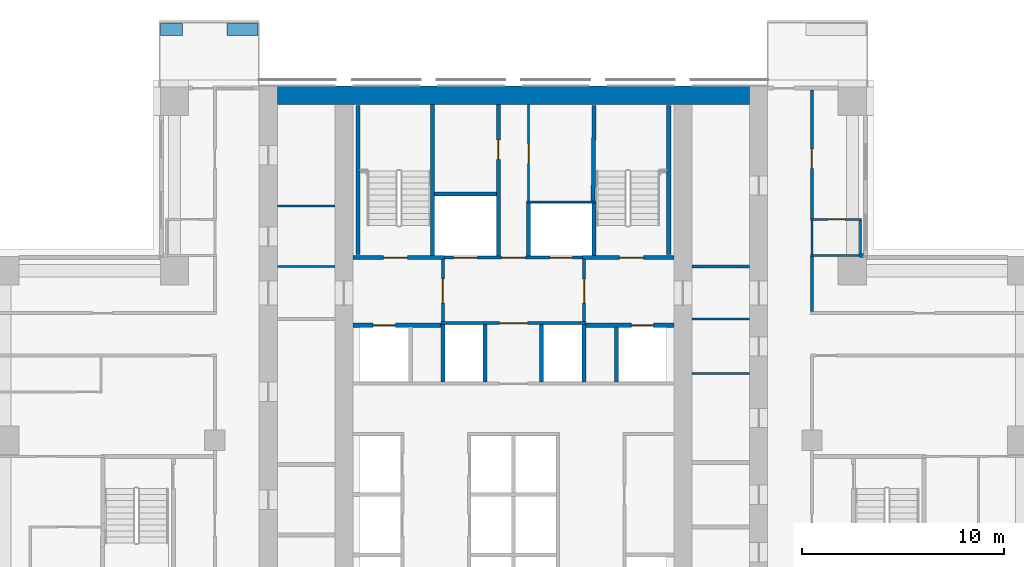
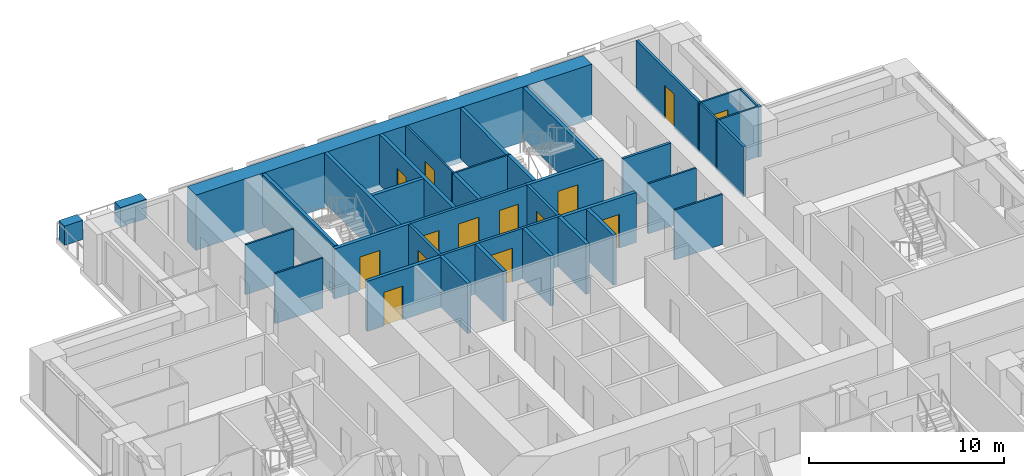
# One storey, part 13 of 17: 38 walls, 14 doors, 14 openings.
"""IFC4 building model written with IfcOpenShell, lengths in metres."""

from ifc_helpers import new_model, si_unit, direction, frame, frame_2d, origin, place, context, subcontext, project, spatial, rectangle, extrude, material, layer, layer_set, type_object, element, fill, save


model = new_model("IFC4")

# Units and contexts
model_context = context("Model", 3, precision=1e-05, world=origin(), true_north=direction((0.0, 1.0)))
body_context = subcontext(model_context, "Body", "Model", "MODEL_VIEW")
ifc_project = project(units=[si_unit("LENGTHUNIT", "METRE"), si_unit("AREAUNIT", "SQUARE_METRE"), si_unit("VOLUMEUNIT", "CUBIC_METRE"), si_unit("PLANEANGLEUNIT", "RADIAN"), si_unit("MASSUNIT", "GRAM", prefix="KILO")], contexts=[model_context])

# Site, building, storey
site_placement = place(None, origin())
site = spatial("IfcSite", under=ifc_project, at=site_placement, CompositionType="ELEMENT")
building_placement = place(site_placement, origin())
building = spatial("IfcBuilding", under=site, at=building_placement, Name="Vermilion Ogive Tower", CompositionType="ELEMENT")
storey_placement = place(building_placement, frame((0.0, 0.0, 51.75)))
storey = spatial("IfcBuildingStorey", under=building, at=storey_placement, Name="L11", CompositionType="ELEMENT", Elevation=51.75)

# Wall
ifc_material_1 = material(Name="Gypsum board partition on steel studs", Category="steel")
ifc_layer_1 = layer(ifc_material_1, 0.10009765625)
ifc_layer_set_1 = layer_set([ifc_layer_1], Name="Partition 100 bath")
wall_type_1 = type_object("IfcWallType", Name="Partition 100 bath", PredefinedType="PARTITIONING", material=ifc_layer_set_1)
wall_1_placement = place(storey_placement, frame((14.72509765625, 13.35009765625, 0.0), z_axis=(0.0, 0.0, 1.0), x_axis=(1.0, 0.0, 0.0)))
element("IfcWall", 1, at=wall_1_placement, inside=storey, type_object=wall_type_1, Name="L11-W-W037", PredefinedType="PARTITIONING", context=body_context, shape_type="SweptSolid", body=[
    extrude(rectangle(XDim=2.52490234375, YDim=0.10009765625, at=frame_2d((1.262451171875, 0.0))), origin(), (0.0, 0.0, 1.0), 3.1298828125),
])

# Wall, opening, door
wall_2_placement = place(storey_placement, frame((14.72509765625, 15.14990234375, 0.0), z_axis=(0.0, 0.0, 1.0), x_axis=(1.0, 0.0, 0.0)))
wall_2 = element("IfcWall", 2, at=wall_2_placement, inside=storey, type_object=wall_type_1, Name="L11-W-W040", PredefinedType="PARTITIONING", context=body_context, shape_type="SweptSolid", body=[
    extrude(rectangle(XDim=2.52490234375, YDim=0.10009765625, at=frame_2d((1.262451171875, 0.0))), origin(), (0.0, 0.0, 1.0), 3.1298828125),
])
opening_1_placement = place(wall_2_placement, frame((0.849853515625, 0.0, 0.0)))
opening_1 = element("IfcOpeningElement", 3, at=opening_1_placement, cuts=wall_2, Name="Opening D1G3022", PredefinedType="OPENING", context=body_context, shape_type="SweptSolid", body=[
    extrude(rectangle(XDim=0.85009765625, YDim=2.10009765625, at=frame_2d((0.425048828125, 1.050048828125))), frame((0.0, 0.06005859375, 0.0), z_axis=(0.0, -1.0, 0.0), x_axis=(1.0, 0.0, 0.0)), (0.0, 0.0, 1.0), 0.1201171875),
])
ifc_material_2 = material(Name="Timber door leaf", Category="wood")
door_type_1 = type_object("IfcDoorType", Name="Bath door 850 x 2100 FD30", OperationType="SINGLE_SWING_LEFT", PredefinedType="DOOR", material=ifc_material_2)
door_1_placement = place(opening_1_placement, origin())
door_1 = element("IfcDoor", 4, at=door_1_placement, inside=storey, type_object=door_type_1, Name="L11-D-D022", OperationType="SINGLE_SWING_RIGHT", OverallHeight=2.10009765625, OverallWidth=0.85009765625, PredefinedType="DOOR", context=body_context, shape_type="SweptSolid", body=[
    extrude(rectangle(XDim=0.85009765625, YDim=2.10009765625, at=frame_2d((0.425048828125, 1.050048828125))), frame((0.0, 0.02490234375, 0.0), z_axis=(0.0, -1.0, 0.0), x_axis=(1.0, 0.0, 0.0)), (0.0, 0.0, 1.0), 0.050048828125),
])
fill(opening_1, door_1)

# Walls
wall_3_placement = place(storey_placement, frame((14.800048828125, 13.39990234375, 0.0), z_axis=(0.0, 0.0, 1.0), x_axis=(0.0, 1.0, 0.0)))
element("IfcWall", 5, at=wall_3_placement, inside=storey, type_object=wall_type_1, Name="L11-W-W074", PredefinedType="PARTITIONING", context=body_context, shape_type="SweptSolid", body=[
    extrude(rectangle(XDim=1.7001953125, YDim=0.10009765625, at=frame_2d((0.85009765625, 0.0))), origin(), (0.0, 0.0, 1.0), 3.1298828125),
])
wall_4_placement = place(storey_placement, frame((17.199951171875, 13.449951171875, 0.0), z_axis=(0.0, 0.0, 1.0), x_axis=(0.0, 1.0, 0.0)))
element("IfcWall", 6, at=wall_4_placement, inside=storey, type_object=wall_type_1, Name="L11-W-W078", PredefinedType="PARTITIONING", context=body_context, shape_type="SweptSolid", body=[
    extrude(rectangle(XDim=1.650146484375, YDim=0.10009765625, at=frame_2d((0.8251953125, 0.0))), origin(), (0.0, 0.0, 1.0), 3.1298828125),
])
wall_5_placement = place(storey_placement, frame((0.64990234375, 16.0, 0.0), z_axis=(0.0, 0.0, 1.0), x_axis=(1.0, 0.0, 0.0)))
element("IfcWall", 7, at=wall_5_placement, inside=storey, type_object=wall_type_1, Name="L11-CK-W-W019", PredefinedType="PARTITIONING", context=body_context, shape_type="SweptSolid", body=[
    extrude(rectangle(XDim=3.4501953125, YDim=0.10009765625, at=frame_2d((1.72509765625, 0.0))), origin(), (0.0, 0.0, 1.0), 3.1298828125),
])

# Wall, opening, door
wall_6_placement = place(storey_placement, frame((0.75, 16.050048828125, 0.0), z_axis=(0.0, 0.0, 1.0), x_axis=(0.0, 1.0, 0.0)))
wall_6 = element("IfcWall", 8, at=wall_6_placement, inside=storey, type_object=wall_type_1, Name="L11-CK-W-W031", PredefinedType="PARTITIONING", context=body_context, shape_type="SweptSolid", body=[
    extrude(rectangle(XDim=4.799072265625, YDim=0.10009765625, at=frame_2d((2.3994140625, 0.0))), origin(), (0.0, 0.0, 1.0), 3.1298828125),
])
opening_2_placement = place(wall_6_placement, frame((1.875, 0.0, 0.0)))
opening_2 = element("IfcOpeningElement", 9, at=opening_2_placement, cuts=wall_6, Name="Opening DAA053", PredefinedType="OPENING", context=body_context, shape_type="SweptSolid", body=[
    extrude(rectangle(XDim=0.949951171875, YDim=2.10009765625, at=frame_2d((0.47509765625, 1.050048828125))), frame((0.0, 0.06005859375, 0.0), z_axis=(0.0, -1.0, 0.0), x_axis=(1.0, 0.0, 0.0)), (0.0, 0.0, 1.0), 0.1201171875),
])
ifc_material_3 = material(Name="Timber door leaf", Category="wood")
door_type_2 = type_object("IfcDoorType", Name="Service door 950 x 2100 FD60", OperationType="SINGLE_SWING_LEFT", PredefinedType="DOOR", material=ifc_material_3)
door_2_placement = place(opening_2_placement, origin())
door_2 = element("IfcDoor", 10, at=door_2_placement, inside=storey, type_object=door_type_2, Name="L11-CK-D-D020", OperationType="SINGLE_SWING_LEFT", OverallHeight=2.10009765625, OverallWidth=0.949951171875, PredefinedType="DOOR", context=body_context, shape_type="SweptSolid", body=[
    extrude(rectangle(XDim=0.949951171875, YDim=2.10009765625, at=frame_2d((0.47509765625, 1.050048828125))), frame((0.0, 0.02490234375, 0.0), z_axis=(0.0, -1.0, 0.0), x_axis=(1.0, 0.0, 0.0)), (0.0, 0.0, 1.0), 0.050048828125),
])
fill(opening_2, door_2)

# Walls
for number, where, z_axis, x_axis, name in (
    (11, (-11.698974609375, 12.800048828125, 0.0), (0.0, 0.0, 1.0), (1.0, 0.0, 0.0), "L11-CKW-W-W004"),
    (12, (-11.698974609375, 15.800048828125, 0.0), (0.0, 0.0, 1.0), (1.0, 0.0, 0.0), "L11-CKW-W-W005"),
    (13, (8.85107421875, 7.5, 0.0), (0.0, 0.0, 1.0), (1.0, 0.0, 0.0), "L11-CKE-W-W004"),
    (14, (8.85107421875, 10.199951171875, 0.0), (0.0, 0.0, 1.0), (1.0, 0.0, 0.0), "L11-CKE-W-W005"),
):
    element("IfcWall", number, at=place(storey_placement, frame(where, z_axis=z_axis, x_axis=x_axis)), inside=storey, type_object=wall_type_1, Name=name, PredefinedType="PARTITIONING", context=body_context, shape_type="SweptSolid", body=[
        extrude(rectangle(XDim=2.847900390625, YDim=0.10009765625, at=frame_2d((1.423828125, 0.0))), origin(), (0.0, 0.0, 1.0), 3.1298828125),
    ])
ifc_material_4 = material(Name="Gypsum board partition on steel studs", Category="steel")
ifc_layer_2 = layer(ifc_material_4, 0.14990234375)
ifc_layer_set_2 = layer_set([ifc_layer_2], Name="Partition 150 corridor")
wall_type_2 = type_object("IfcWallType", Name="Partition 150 corridor", PredefinedType="PARTITIONING", material=ifc_layer_set_2)
wall_7_placement = place(storey_placement, frame((14.800048828125, 10.574951171875, 0.0), z_axis=(0.0, 0.0, 1.0), x_axis=(0.0, 1.0, 0.0)))
element("IfcWall", 15, at=wall_7_placement, inside=storey, type_object=wall_type_2, Name="L11-W-W073", PredefinedType="PARTITIONING", context=body_context, shape_type="SweptSolid", body=[
    extrude(rectangle(XDim=2.72509765625, YDim=0.14990234375, at=frame_2d((1.362548828125, 0.0))), origin(), (0.0, 0.0, 1.0), 3.1298828125),
])

# Wall, opening, door
wall_8_placement = place(storey_placement, frame((14.800048828125, 15.199951171875, 0.0), z_axis=(0.0, 0.0, 1.0), x_axis=(0.0, 1.0, 0.0)))
wall_8 = element("IfcWall", 16, at=wall_8_placement, inside=storey, type_object=wall_type_2, Name="L11-W-W075", PredefinedType="PARTITIONING", context=body_context, shape_type="SweptSolid", body=[
    extrude(rectangle(XDim=6.35009765625, YDim=0.14990234375, at=frame_2d((3.175048828125, 0.0))), origin(), (0.0, 0.0, 1.0), 3.1298828125),
])
opening_3_placement = place(wall_8_placement, frame((2.47509765625, 0.0, 0.0)))
opening_3 = element("IfcOpeningElement", 17, at=opening_3_placement, cuts=wall_8, Name="Opening D1G3021", PredefinedType="OPENING", context=body_context, shape_type="SweptSolid", body=[
    extrude(rectangle(XDim=0.949951171875, YDim=2.10009765625, at=frame_2d((0.47509765625, 1.050048828125))), frame((0.0, 0.0849609375, 0.0), z_axis=(0.0, -1.0, 0.0), x_axis=(1.0, 0.0, 0.0)), (0.0, 0.0, 1.0), 0.169921875),
])
ifc_material_5 = material(Name="Timber door leaf", Category="wood")
door_type_3 = type_object("IfcDoorType", Name="Unit door 950 x 2100 FD30S", OperationType="SINGLE_SWING_LEFT", PredefinedType="DOOR", material=ifc_material_5)
door_3_placement = place(opening_3_placement, origin())
door_3 = element("IfcDoor", 18, at=door_3_placement, inside=storey, type_object=door_type_3, Name="L11-D-D021", OperationType="SINGLE_SWING_LEFT", OverallHeight=2.10009765625, OverallWidth=0.949951171875, PredefinedType="DOOR", context=body_context, shape_type="SweptSolid", body=[
    extrude(rectangle(XDim=0.949951171875, YDim=2.10009765625, at=frame_2d((0.47509765625, 1.050048828125))), frame((0.0, 0.02490234375, 0.0), z_axis=(0.0, -1.0, 0.0), x_axis=(1.0, 0.0, 0.0)), (0.0, 0.0, 1.0), 0.050048828125),
])
fill(opening_3, door_3)

wall_9_placement = place(storey_placement, frame((-3.60009765625, 10.0, 0.0), z_axis=(0.0, 0.0, 1.0), x_axis=(1.0, 0.0, 0.0)))
wall_9 = element("IfcWall", 19, at=wall_9_placement, inside=storey, type_object=wall_type_2, Name="L11-CK-W-W015", PredefinedType="PARTITIONING", context=body_context, shape_type="SweptSolid", body=[
    extrude(rectangle(XDim=7.2001953125, YDim=0.14990234375, at=frame_2d((3.60009765625, 0.0))), origin(), (0.0, 0.0, 1.0), 3.1298828125),
])
opening_4_placement = place(wall_9_placement, frame((2.900146484375, 0.0, 0.0)))
opening_4 = element("IfcOpeningElement", 20, at=opening_4_placement, cuts=wall_9, Name="Opening DAA049", PredefinedType="OPENING", context=body_context, shape_type="SweptSolid", body=[
    extrude(rectangle(XDim=1.39990234375, YDim=2.10009765625, at=frame_2d((0.699951171875, 1.050048828125))), frame((0.0, 0.0849609375, 0.0), z_axis=(0.0, -1.0, 0.0), x_axis=(1.0, 0.0, 0.0)), (0.0, 0.0, 1.0), 0.169921875),
])
ifc_material_6 = material(Name="Timber door leaf", Category="wood")
door_type_4 = type_object("IfcDoorType", Name="Lobby door 1400 x 2100 FD60S", OperationType="SINGLE_SWING_LEFT", PredefinedType="DOOR", material=ifc_material_6)
door_4_placement = place(opening_4_placement, origin())
door_4 = element("IfcDoor", 21, at=door_4_placement, inside=storey, type_object=door_type_4, Name="L11-CK-D-D015", OperationType="SINGLE_SWING_RIGHT", OverallHeight=2.10009765625, OverallWidth=1.39990234375, PredefinedType="DOOR", context=body_context, shape_type="SweptSolid", body=[
    extrude(rectangle(XDim=1.39990234375, YDim=2.10009765625, at=frame_2d((0.699951171875, 1.050048828125))), frame((0.0, 0.02490234375, 0.0), z_axis=(0.0, -1.0, 0.0), x_axis=(1.0, 0.0, 0.0)), (0.0, 0.0, 1.0), 0.050048828125),
])
fill(opening_4, door_4)

# Wall, openings, doors
wall_10_placement = place(storey_placement, frame((-3.574951171875, 13.25, 0.0), z_axis=(0.0, 0.0, 1.0), x_axis=(1.0, 0.0, 0.0)))
wall_10 = element("IfcWall", 22, at=wall_10_placement, inside=storey, type_object=wall_type_2, Name="L11-CK-W-W017", PredefinedType="PARTITIONING", context=body_context, shape_type="SweptSolid", body=[
    extrude(rectangle(XDim=7.14990234375, YDim=0.14990234375, at=frame_2d((3.574951171875, 0.0))), origin(), (0.0, 0.0, 1.0), 3.1298828125),
])
opening_5_placement = place(wall_10_placement, frame((0.599853515625, 0.0, 0.0)))
opening_5 = element("IfcOpeningElement", 23, at=opening_5_placement, cuts=wall_10, Name="Opening DAA067", PredefinedType="OPENING", context=body_context, shape_type="SweptSolid", body=[
    extrude(rectangle(XDim=1.199951171875, YDim=2.10009765625, at=frame_2d((0.60009765625, 1.050048828125))), frame((0.0, 0.0849609375, 0.0), z_axis=(0.0, -1.0, 0.0), x_axis=(1.0, 0.0, 0.0)), (0.0, 0.0, 1.0), 0.169921875),
])
opening_6_placement = place(wall_10_placement, frame((5.39990234375, 0.0, 0.0)))
opening_6 = element("IfcOpeningElement", 24, at=opening_6_placement, cuts=wall_10, Name="Opening DAA058", PredefinedType="OPENING", context=body_context, shape_type="SweptSolid", body=[
    extrude(rectangle(XDim=1.10009765625, YDim=2.10009765625, at=frame_2d((0.550048828125, 1.050048828125))), frame((0.0, 0.0849609375, 0.0), z_axis=(0.0, -1.0, 0.0), x_axis=(1.0, 0.0, 0.0)), (0.0, 0.0, 1.0), 0.169921875),
])
opening_7_placement = place(wall_10_placement, frame((2.974853515625, 0.0, 0.0)))
opening_7 = element("IfcOpeningElement", 25, at=opening_7_placement, cuts=wall_10, Name="Opening DAA050", PredefinedType="OPENING", context=body_context, shape_type="SweptSolid", body=[
    extrude(rectangle(XDim=1.199951171875, YDim=2.10009765625, at=frame_2d((0.60009765625, 1.050048828125))), frame((0.0, 0.0849609375, 0.0), z_axis=(0.0, -1.0, 0.0), x_axis=(1.0, 0.0, 0.0)), (0.0, 0.0, 1.0), 0.169921875),
])
ifc_material_7 = material(Name="Stainless steel", Category="steel")
door_type_5 = type_object("IfcDoorType", Name="Lift landing door 1100 x 2100", OperationType="SLIDING_TO_LEFT", PredefinedType="DOOR", material=ifc_material_7)
door_5_placement = place(opening_6_placement, origin())
door_5 = element("IfcDoor", 26, at=door_5_placement, inside=storey, type_object=door_type_5, Name="L11-CK-D-D017", OperationType="SLIDING_TO_LEFT", OverallHeight=2.10009765625, OverallWidth=1.10009765625, PredefinedType="DOOR", context=body_context, shape_type="SweptSolid", body=[
    extrude(rectangle(XDim=1.10009765625, YDim=2.10009765625, at=frame_2d((0.550048828125, 1.050048828125))), frame((0.0, 0.02490234375, 0.0), z_axis=(0.0, -1.0, 0.0), x_axis=(1.0, 0.0, 0.0)), (0.0, 0.0, 1.0), 0.050048828125),
])
fill(opening_6, door_5)
ifc_material_8 = material(Name="Stainless steel", Category="steel")
door_type_6 = type_object("IfcDoorType", Name="Lift landing door 1200 x 2100", OperationType="SLIDING_TO_LEFT", PredefinedType="DOOR", material=ifc_material_8)
door_6_placement = place(opening_5_placement, origin())
door_6 = element("IfcDoor", 27, at=door_6_placement, inside=storey, type_object=door_type_6, Name="L11-CK-D-D016", OperationType="SLIDING_TO_RIGHT", OverallHeight=2.10009765625, OverallWidth=1.199951171875, PredefinedType="DOOR", context=body_context, shape_type="SweptSolid", body=[
    extrude(rectangle(XDim=1.199951171875, YDim=2.10009765625, at=frame_2d((0.60009765625, 1.050048828125))), frame((0.0, 0.02490234375, 0.0), z_axis=(0.0, -1.0, 0.0), x_axis=(1.0, 0.0, 0.0)), (0.0, 0.0, 1.0), 0.050048828125),
])
fill(opening_5, door_6)
ifc_material_9 = material(Name="Timber door leaf", Category="wood")
door_type_7 = type_object("IfcDoorType", Name="Service door 1200 x 2100 FD60", OperationType="SINGLE_SWING_LEFT", PredefinedType="DOOR", material=ifc_material_9)
door_7_placement = place(opening_7_placement, origin())
door_7 = element("IfcDoor", 28, at=door_7_placement, inside=storey, type_object=door_type_7, Name="L11-CK-D-D018", OperationType="SINGLE_SWING_RIGHT", OverallHeight=2.10009765625, OverallWidth=1.199951171875, PredefinedType="DOOR", context=body_context, shape_type="SweptSolid", body=[
    extrude(rectangle(XDim=1.199951171875, YDim=2.10009765625, at=frame_2d((0.60009765625, 1.050048828125))), frame((0.0, 0.02490234375, 0.0), z_axis=(0.0, -1.0, 0.0), x_axis=(1.0, 0.0, 0.0)), (0.0, 0.0, 1.0), 0.050048828125),
])
fill(opening_7, door_7)

# Wall, opening, door
wall_11_placement = place(storey_placement, frame((-3.5, 10.074951171875, 0.0), z_axis=(0.0, 0.0, 1.0), x_axis=(0.0, 1.0, 0.0)))
wall_11 = element("IfcWall", 29, at=wall_11_placement, inside=storey, type_object=wall_type_2, Name="L11-CK-W-W025", PredefinedType="PARTITIONING", context=body_context, shape_type="SweptSolid", body=[
    extrude(rectangle(XDim=3.074951171875, YDim=0.14990234375, at=frame_2d((1.53759765625, 0.0))), origin(), (0.0, 0.0, 1.0), 3.1298828125),
])
opening_8_placement = place(wall_11_placement, frame((0.925048828125, 0.0, 0.0)))
opening_8 = element("IfcOpeningElement", 30, at=opening_8_placement, cuts=wall_11, Name="Opening DAA046", PredefinedType="OPENING", context=body_context, shape_type="SweptSolid", body=[
    extrude(rectangle(XDim=1.199951171875, YDim=2.10009765625, at=frame_2d((0.60009765625, 1.050048828125))), frame((0.0, 0.0849609375, 0.0), z_axis=(0.0, -1.0, 0.0), x_axis=(1.0, 0.0, 0.0)), (0.0, 0.0, 1.0), 0.169921875),
])
ifc_material_10 = material(Name="Timber door leaf", Category="wood")
door_type_8 = type_object("IfcDoorType", Name="Lobby door 1200 x 2100 FD60S", OperationType="SINGLE_SWING_LEFT", PredefinedType="DOOR", material=ifc_material_10)
door_8_placement = place(opening_8_placement, origin())
door_8 = element("IfcDoor", 31, at=door_8_placement, inside=storey, type_object=door_type_8, Name="L11-CK-D-D021", OperationType="SINGLE_SWING_RIGHT", OverallHeight=2.10009765625, OverallWidth=1.199951171875, PredefinedType="DOOR", context=body_context, shape_type="SweptSolid", body=[
    extrude(rectangle(XDim=1.199951171875, YDim=2.10009765625, at=frame_2d((0.60009765625, 1.050048828125))), frame((0.0, 0.02490234375, 0.0), z_axis=(0.0, -1.0, 0.0), x_axis=(1.0, 0.0, 0.0)), (0.0, 0.0, 1.0), 0.050048828125),
])
fill(opening_8, door_8)

wall_12_placement = place(storey_placement, frame((3.5, 10.074951171875, 0.0), z_axis=(0.0, 0.0, 1.0), x_axis=(0.0, 1.0, 0.0)))
wall_12 = element("IfcWall", 32, at=wall_12_placement, inside=storey, type_object=wall_type_2, Name="L11-CK-W-W035", PredefinedType="PARTITIONING", context=body_context, shape_type="SweptSolid", body=[
    extrude(rectangle(XDim=3.074951171875, YDim=0.14990234375, at=frame_2d((1.53759765625, 0.0))), origin(), (0.0, 0.0, 1.0), 3.1298828125),
])
opening_9_placement = place(wall_12_placement, frame((0.925048828125, 0.0, 0.0)))
opening_9 = element("IfcOpeningElement", 33, at=opening_9_placement, cuts=wall_12, Name="Opening DAA047", PredefinedType="OPENING", context=body_context, shape_type="SweptSolid", body=[
    extrude(rectangle(XDim=1.199951171875, YDim=2.10009765625, at=frame_2d((0.60009765625, 1.050048828125))), frame((0.0, 0.0849609375, 0.0), z_axis=(0.0, -1.0, 0.0), x_axis=(1.0, 0.0, 0.0)), (0.0, 0.0, 1.0), 0.169921875),
])
door_9_placement = place(opening_9_placement, origin())
door_9 = element("IfcDoor", 34, at=door_9_placement, inside=storey, type_object=door_type_8, Name="L11-CK-D-D022", OperationType="SINGLE_SWING_LEFT", OverallHeight=2.10009765625, OverallWidth=1.199951171875, PredefinedType="DOOR", context=body_context, shape_type="SweptSolid", body=[
    extrude(rectangle(XDim=1.199951171875, YDim=2.10009765625, at=frame_2d((0.60009765625, 1.050048828125))), frame((0.0, 0.02490234375, 0.0), z_axis=(0.0, -1.0, 0.0), x_axis=(1.0, 0.0, 0.0)), (0.0, 0.0, 1.0), 0.050048828125),
])
fill(opening_9, door_9)

# Walls
wall_13_placement = place(storey_placement, frame((8.85107421875, 12.800048828125, 0.0), z_axis=(0.0, 0.0, 1.0), x_axis=(1.0, 0.0, 0.0)))
element("IfcWall", 35, at=wall_13_placement, inside=storey, type_object=wall_type_2, Name="L11-CKE-W-W006", PredefinedType="PARTITIONING", context=body_context, shape_type="SweptSolid", body=[
    extrude(rectangle(XDim=2.847900390625, YDim=0.14990234375, at=frame_2d((1.423828125, 0.0))), origin(), (0.0, 0.0, 1.0), 3.1298828125),
])
ifc_material_11 = material(Name="Gypsum board partition on steel studs", Category="steel")
ifc_layer_3 = layer(ifc_material_11, 0.199951171875)
ifc_layer_set_3 = layer_set([ifc_layer_3], Name="Partition 200 party")
wall_type_3 = type_object("IfcWallType", Name="Partition 200 party", PredefinedType="PARTITIONING", material=ifc_layer_set_3)
wall_14_placement = place(storey_placement, frame((17.14990234375, 13.35009765625, 0.0), z_axis=(0.0, 0.0, 1.0), x_axis=(1.0, 0.0, 0.0)))
element("IfcWall", 36, at=wall_14_placement, inside=storey, type_object=wall_type_3, Name="L11-W-W038", PredefinedType="PARTITIONING", context=body_context, shape_type="SweptSolid", body=[
    extrude(rectangle(XDim=0.2001953125, YDim=0.199951171875, at=frame_2d((0.10009765625, 0.0))), origin(), (0.0, 0.0, 1.0), 3.1298828125),
])

# Wall, opening, door
wall_15_placement = place(storey_placement, frame((-7.948974609375, 9.89990234375, 0.0), z_axis=(0.0, 0.0, 1.0), x_axis=(1.0, 0.0, 0.0)))
wall_15 = element("IfcWall", 37, at=wall_15_placement, inside=storey, type_object=wall_type_3, Name="L11-CK-W-W013", PredefinedType="PARTITIONING", context=body_context, shape_type="SweptSolid", body=[
    extrude(rectangle(XDim=4.348876953125, YDim=0.199951171875, at=frame_2d((2.17431640625, 0.0))), origin(), (0.0, 0.0, 1.0), 3.1298828125),
])
opening_10_placement = place(wall_15_placement, frame((0.9990234375, 0.0, 0.0)))
opening_10 = element("IfcOpeningElement", 38, at=opening_10_placement, cuts=wall_15, Name="Opening DAA066", PredefinedType="OPENING", context=body_context, shape_type="SweptSolid", body=[
    extrude(rectangle(XDim=1.10009765625, YDim=2.10009765625, at=frame_2d((0.550048828125, 1.050048828125))), frame((0.0, 0.10986328125, 0.0), z_axis=(0.0, -1.0, 0.0), x_axis=(1.0, 0.0, 0.0)), (0.0, 0.0, 1.0), 0.219970703125),
])
door_10_placement = place(opening_10_placement, origin())
door_10 = element("IfcDoor", 39, at=door_10_placement, inside=storey, type_object=door_type_5, Name="L11-CK-D-D011", OperationType="SLIDING_TO_RIGHT", OverallHeight=2.10009765625, OverallWidth=1.10009765625, PredefinedType="DOOR", context=body_context, shape_type="SweptSolid", body=[
    extrude(rectangle(XDim=1.10009765625, YDim=2.10009765625, at=frame_2d((0.550048828125, 1.050048828125))), frame((0.0, 0.02490234375, 0.0), z_axis=(0.0, -1.0, 0.0), x_axis=(1.0, 0.0, 0.0)), (0.0, 0.0, 1.0), 0.050048828125),
])
fill(opening_10, door_10)

wall_16_placement = place(storey_placement, frame((3.60009765625, 9.89990234375, 0.0), z_axis=(0.0, 0.0, 1.0), x_axis=(1.0, 0.0, 0.0)))
wall_16 = element("IfcWall", 40, at=wall_16_placement, inside=storey, type_object=wall_type_3, Name="L11-CK-W-W014", PredefinedType="PARTITIONING", context=body_context, shape_type="SweptSolid", body=[
    extrude(rectangle(XDim=4.348876953125, YDim=0.199951171875, at=frame_2d((2.17431640625, 0.0))), origin(), (0.0, 0.0, 1.0), 3.1298828125),
])
opening_11_placement = place(wall_16_placement, frame((2.25, 0.0, 0.0)))
opening_11 = element("IfcOpeningElement", 41, at=opening_11_placement, cuts=wall_16, Name="Opening DAA057", PredefinedType="OPENING", context=body_context, shape_type="SweptSolid", body=[
    extrude(rectangle(XDim=1.10009765625, YDim=2.10009765625, at=frame_2d((0.550048828125, 1.050048828125))), frame((0.0, 0.10986328125, 0.0), z_axis=(0.0, -1.0, 0.0), x_axis=(1.0, 0.0, 0.0)), (0.0, 0.0, 1.0), 0.219970703125),
])
door_11_placement = place(opening_11_placement, origin())
door_11 = element("IfcDoor", 42, at=door_11_placement, inside=storey, type_object=door_type_5, Name="L11-CK-D-D013", OperationType="SLIDING_TO_LEFT", OverallHeight=2.10009765625, OverallWidth=1.10009765625, PredefinedType="DOOR", context=body_context, shape_type="SweptSolid", body=[
    extrude(rectangle(XDim=1.10009765625, YDim=2.10009765625, at=frame_2d((0.550048828125, 1.050048828125))), frame((0.0, 0.02490234375, 0.0), z_axis=(0.0, -1.0, 0.0), x_axis=(1.0, 0.0, 0.0)), (0.0, 0.0, 1.0), 0.050048828125),
])
fill(opening_11, door_11)

# Walls
wall_17_placement = place(storey_placement, frame((-3.89990234375, 16.39990234375, 0.0), z_axis=(0.0, 0.0, 1.0), x_axis=(1.0, 0.0, 0.0)))
element("IfcWall", 43, at=wall_17_placement, inside=storey, type_object=wall_type_3, Name="L11-CK-W-W020", PredefinedType="PARTITIONING", context=body_context, shape_type="SweptSolid", body=[
    extrude(rectangle(XDim=3.0498046875, YDim=0.199951171875, at=frame_2d((1.52490234375, 0.0))), origin(), (0.0, 0.0, 1.0), 3.1298828125),
])
for number, where, z_axis, x_axis, name in (
    (44, (-3.5, 7.074951171875, 0.0), (0.0, 0.0, 1.0), (0.0, 1.0, 0.0), "L11-CK-W-W024"),
    (45, (-1.39990234375, 7.074951171875, 0.0), (0.0, 0.0, 1.0), (0.0, 1.0, 0.0), "L11-CK-W-W027"),
):
    element("IfcWall", number, at=place(storey_placement, frame(where, z_axis=z_axis, x_axis=x_axis)), inside=storey, type_object=wall_type_3, Name=name, PredefinedType="PARTITIONING", context=body_context, shape_type="SweptSolid", body=[
        extrude(rectangle(XDim=2.85009765625, YDim=0.199951171875, at=frame_2d((1.425048828125, 0.0))), origin(), (0.0, 0.0, 1.0), 3.1298828125),
    ])

# Wall, opening, door
wall_18_placement = place(storey_placement, frame((-0.75, 13.324951171875, 0.0), z_axis=(0.0, 0.0, 1.0), x_axis=(0.0, 1.0, 0.0)))
wall_18 = element("IfcWall", 46, at=wall_18_placement, inside=storey, type_object=wall_type_3, Name="L11-CK-W-W028", PredefinedType="PARTITIONING", context=body_context, shape_type="SweptSolid", body=[
    extrude(rectangle(XDim=7.524169921875, YDim=0.199951171875, at=frame_2d((3.76220703125, 0.0))), origin(), (0.0, 0.0, 1.0), 3.1298828125),
])
opening_12_placement = place(wall_18_placement, frame((4.800048828125, 0.0, 0.0)))
opening_12 = element("IfcOpeningElement", 47, at=opening_12_placement, cuts=wall_18, Name="Opening DAA052", PredefinedType="OPENING", context=body_context, shape_type="SweptSolid", body=[
    extrude(rectangle(XDim=0.949951171875, YDim=2.10009765625, at=frame_2d((0.47509765625, 1.050048828125))), frame((0.0, 0.10986328125, 0.0), z_axis=(0.0, -1.0, 0.0), x_axis=(1.0, 0.0, 0.0)), (0.0, 0.0, 1.0), 0.219970703125),
])
door_12_placement = place(opening_12_placement, origin())
door_12 = element("IfcDoor", 48, at=door_12_placement, inside=storey, type_object=door_type_2, Name="L11-CK-D-D019", OperationType="SINGLE_SWING_RIGHT", OverallHeight=2.10009765625, OverallWidth=0.949951171875, PredefinedType="DOOR", context=body_context, shape_type="SweptSolid", body=[
    extrude(rectangle(XDim=0.949951171875, YDim=2.10009765625, at=frame_2d((0.47509765625, 1.050048828125))), frame((0.0, 0.02490234375, 0.0), z_axis=(0.0, -1.0, 0.0), x_axis=(1.0, 0.0, 0.0)), (0.0, 0.0, 1.0), 0.050048828125),
])
fill(opening_12, door_12)

# Walls
wall_19_placement = place(storey_placement, frame((0.75, 13.324951171875, 0.0), z_axis=(0.0, 0.0, 1.0), x_axis=(0.0, 1.0, 0.0)))
element("IfcWall", 49, at=wall_19_placement, inside=storey, type_object=wall_type_3, Name="L11-CK-W-W030", PredefinedType="PARTITIONING", context=body_context, shape_type="SweptSolid", body=[
    extrude(rectangle(XDim=2.625, YDim=0.199951171875, at=frame_2d((1.3125, 0.0))), origin(), (0.0, 0.0, 1.0), 3.1298828125),
])
for number, where, z_axis, x_axis, name in (
    (50, (1.39990234375, 7.074951171875, 0.0), (0.0, 0.0, 1.0), (0.0, 1.0, 0.0), "L11-CK-W-W032"),
    (51, (3.5, 7.074951171875, 0.0), (0.0, 0.0, 1.0), (0.0, 1.0, 0.0), "L11-CK-W-W034"),
):
    element("IfcWall", number, at=place(storey_placement, frame(where, z_axis=z_axis, x_axis=x_axis)), inside=storey, type_object=wall_type_3, Name=name, PredefinedType="PARTITIONING", context=body_context, shape_type="SweptSolid", body=[
        extrude(rectangle(XDim=2.85009765625, YDim=0.199951171875, at=frame_2d((1.425048828125, 0.0))), origin(), (0.0, 0.0, 1.0), 3.1298828125),
    ])
wall_20_placement = place(storey_placement, frame((5.10009765625, 7.074951171875, 0.0), z_axis=(0.0, 0.0, 1.0), x_axis=(0.0, 1.0, 0.0)))
element("IfcWall", 52, at=wall_20_placement, inside=storey, type_object=wall_type_3, Name="L11-CK-W-W038", PredefinedType="PARTITIONING", context=body_context, shape_type="SweptSolid", body=[
    extrude(rectangle(XDim=2.72509765625, YDim=0.199951171875, at=frame_2d((1.362548828125, 0.0))), origin(), (0.0, 0.0, 1.0), 3.1298828125),
])
ifc_material_12 = material(Name="Concrete B60", Category="concrete")
ifc_layer_4 = layer(ifc_material_12, 0.199951171875)
ifc_layer_set_4 = layer_set([ifc_layer_4], Name="Stair shaft wall 200 Concrete B60")
wall_type_4 = type_object("IfcWallType", Name="Stair shaft wall 200 Concrete B60", PredefinedType="SOLIDWALL", material=ifc_layer_set_4)
wall_21_placement = place(storey_placement, frame((-11.699951171875, 21.300048828125, -0.320068359375), z_axis=(0.0, 0.0, 1.0), x_axis=(1.0, 0.0, 0.0)))
element("IfcWall", 53, at=wall_21_placement, inside=storey, type_object=wall_type_4, Name="L11-CORE-N", PredefinedType="SOLIDWALL", context=body_context, shape_type="SweptSolid", body=[
    extrude(rectangle(XDim=23.39990234375, YDim=0.89990234375, at=frame_2d((11.699951171875, 0.0))), origin(), (0.0, 0.0, 1.0), 3.449951171875),
])

# Wall, opening, door
wall_22_placement = place(storey_placement, frame((-7.948974609375, 13.25, 0.0), z_axis=(0.0, 0.0, 1.0), x_axis=(1.0, 0.0, 0.0)))
wall_22 = element("IfcWall", 54, at=wall_22_placement, inside=storey, type_object=wall_type_4, Name="L11-CK-W-W016", PredefinedType="SOLIDWALL", context=body_context, shape_type="SweptSolid", body=[
    extrude(rectangle(XDim=4.52392578125, YDim=0.199951171875, at=frame_2d((2.261962890625, 0.0))), origin(), (0.0, 0.0, 1.0), 3.1298828125),
])
opening_13_placement = place(wall_22_placement, frame((1.4990234375, 0.0, 0.0)))
opening_13 = element("IfcOpeningElement", 55, at=opening_13_placement, cuts=wall_22, Name="Opening DAA054", PredefinedType="OPENING", context=body_context, shape_type="SweptSolid", body=[
    extrude(rectangle(XDim=1.199951171875, YDim=2.10009765625, at=frame_2d((0.60009765625, 1.050048828125))), frame((0.0, 0.10986328125, 0.0), z_axis=(0.0, -1.0, 0.0), x_axis=(1.0, 0.0, 0.0)), (0.0, 0.0, 1.0), 0.219970703125),
])
ifc_material_13 = material(Name="Timber door leaf", Category="wood")
door_type_9 = type_object("IfcDoorType", Name="Stair door 1200 x 2100 FD60S", OperationType="SINGLE_SWING_LEFT", PredefinedType="DOOR", material=ifc_material_13)
door_13_placement = place(opening_13_placement, origin())
door_13 = element("IfcDoor", 56, at=door_13_placement, inside=storey, type_object=door_type_9, Name="L11-CK-D-D010", OperationType="SINGLE_SWING_LEFT", OverallHeight=2.10009765625, OverallWidth=1.199951171875, PredefinedType="DOOR", context=body_context, shape_type="SweptSolid", body=[
    extrude(rectangle(XDim=1.199951171875, YDim=2.10009765625, at=frame_2d((0.60009765625, 1.050048828125))), frame((0.0, 0.02490234375, 0.0), z_axis=(0.0, -1.0, 0.0), x_axis=(1.0, 0.0, 0.0)), (0.0, 0.0, 1.0), 0.050048828125),
])
fill(opening_13, door_13)

wall_23_placement = place(storey_placement, frame((3.425048828125, 13.25, 0.0), z_axis=(0.0, 0.0, 1.0), x_axis=(1.0, 0.0, 0.0)))
wall_23 = element("IfcWall", 57, at=wall_23_placement, inside=storey, type_object=wall_type_4, Name="L11-CK-W-W018", PredefinedType="SOLIDWALL", context=body_context, shape_type="SweptSolid", body=[
    extrude(rectangle(XDim=4.52392578125, YDim=0.199951171875, at=frame_2d((2.261962890625, 0.0))), origin(), (0.0, 0.0, 1.0), 3.1298828125),
])
opening_14_placement = place(wall_23_placement, frame((1.824951171875, 0.0, 0.0)))
opening_14 = element("IfcOpeningElement", 58, at=opening_14_placement, cuts=wall_23, Name="Opening DAA055", PredefinedType="OPENING", context=body_context, shape_type="SweptSolid", body=[
    extrude(rectangle(XDim=1.199951171875, YDim=2.10009765625, at=frame_2d((0.60009765625, 1.050048828125))), frame((0.0, 0.10986328125, 0.0), z_axis=(0.0, -1.0, 0.0), x_axis=(1.0, 0.0, 0.0)), (0.0, 0.0, 1.0), 0.219970703125),
])
door_14_placement = place(opening_14_placement, origin())
door_14 = element("IfcDoor", 59, at=door_14_placement, inside=storey, type_object=door_type_9, Name="L11-CK-D-D012", OperationType="SINGLE_SWING_RIGHT", OverallHeight=2.10009765625, OverallWidth=1.199951171875, PredefinedType="DOOR", context=body_context, shape_type="SweptSolid", body=[
    extrude(rectangle(XDim=1.199951171875, YDim=2.10009765625, at=frame_2d((0.60009765625, 1.050048828125))), frame((0.0, 0.02490234375, 0.0), z_axis=(0.0, -1.0, 0.0), x_axis=(1.0, 0.0, 0.0)), (0.0, 0.0, 1.0), 0.050048828125),
])
fill(opening_14, door_14)

# Walls
wall_24_placement = place(storey_placement, frame((-4.0, 13.35009765625, 0.0), z_axis=(0.0, 0.0, 1.0), x_axis=(0.0, 1.0, 0.0)))
element("IfcWall", 60, at=wall_24_placement, inside=storey, type_object=wall_type_4, Name="L11-CK-W-W023", PredefinedType="SOLIDWALL", context=body_context, shape_type="SweptSolid", body=[
    extrude(rectangle(XDim=7.4990234375, YDim=0.199951171875, at=frame_2d((3.74951171875, 0.0))), origin(), (0.0, 0.0, 1.0), 3.1298828125),
])
wall_25_placement = place(storey_placement, frame((4.0, 13.35009765625, 0.0), z_axis=(0.0, 0.0, 1.0), x_axis=(0.0, 1.0, 0.0)))
element("IfcWall", 61, at=wall_25_placement, inside=storey, type_object=wall_type_4, Name="L11-CK-W-W036", PredefinedType="SOLIDWALL", context=body_context, shape_type="SweptSolid", body=[
    extrude(rectangle(XDim=2.599853515625, YDim=0.199951171875, at=frame_2d((1.2998046875, 0.0))), origin(), (0.0, 0.0, 1.0), 3.1298828125),
])
wall_26_placement = place(storey_placement, frame((3.949951171875, 16.050048828125, 0.0), z_axis=(0.0, 0.0, 1.0), x_axis=(0.010538176883, 0.999944471872, 0.0)))
element("IfcWall", 62, at=wall_26_placement, inside=storey, type_object=wall_type_4, Name="L11-CK-W-W037", PredefinedType="SOLIDWALL", context=body_context, shape_type="SweptSolid", body=[
    extrude(rectangle(XDim=4.749267578125, YDim=0.199951171875, at=frame_2d((2.37451171875, 0.0))), origin(), (0.0, 0.0, 1.0), 3.1298828125),
])
for number, where, z_axis, x_axis, name in (
    (63, (-7.699951171875, 13.39990234375, 0.0), (0.0, 0.0, 1.0), (0.0, 1.0, 0.0), "L11-SW-R022-W1"),
    (64, (7.699951171875, 13.39990234375, 0.0), (0.0, 0.0, 1.0), (0.0, 1.0, 0.0), "L11-SW-R026-E1"),
):
    element("IfcWall", number, at=place(storey_placement, frame(where, z_axis=z_axis, x_axis=x_axis)), inside=storey, type_object=wall_type_4, Name=name, PredefinedType="SOLIDWALL", context=body_context, shape_type="SweptSolid", body=[
        extrude(rectangle(XDim=7.400146484375, YDim=0.199951171875, at=frame_2d((3.7001953125, 0.0))), origin(), (0.0, 0.0, 1.0), 3.1298828125),
    ])
ifc_material_14 = material(Name="Concrete B40", Category="concrete")
ifc_layer_5 = layer(ifc_material_14, 0.60009765625)
ifc_layer_set_5 = layer_set([ifc_layer_5], Name="Structural planter")
wall_type_5 = type_object("IfcWallType", Name="Structural planter", PredefinedType="USERDEFINED", material=ifc_layer_set_5)
wall_27_placement = place(storey_placement, frame((-12.659912109375, 24.550048828125, -0.0400390625), z_axis=(0.0, 0.0, 1.0), x_axis=(-1.0, 0.0, 0.0)))
element("IfcWall", 65, at=wall_27_placement, inside=storey, type_object=wall_type_5, Name="Planter N201A1", ObjectType="PLANTER", PredefinedType="USERDEFINED", context=body_context, shape_type="SweptSolid", body=[
    extrude(rectangle(XDim=1.5400390625, YDim=0.60009765625, at=frame_2d((0.77001953125, 0.0))), origin(), (0.0, 0.0, 1.0), 1.199951171875),
])
wall_28_placement = place(storey_placement, frame((-16.39990234375, 24.550048828125, -0.0400390625), z_axis=(0.0, 0.0, 1.0), x_axis=(-1.0, 0.0, 0.0)))
element("IfcWall", 66, at=wall_28_placement, inside=storey, type_object=wall_type_5, Name="Planter N201A2", ObjectType="PLANTER", PredefinedType="USERDEFINED", context=body_context, shape_type="SweptSolid", body=[
    extrude(rectangle(XDim=1.090087890625, YDim=0.60009765625, at=frame_2d((0.544921875, 0.0))), origin(), (0.0, 0.0, 1.0), 1.199951171875),
])

save(model, "model.ifc")
